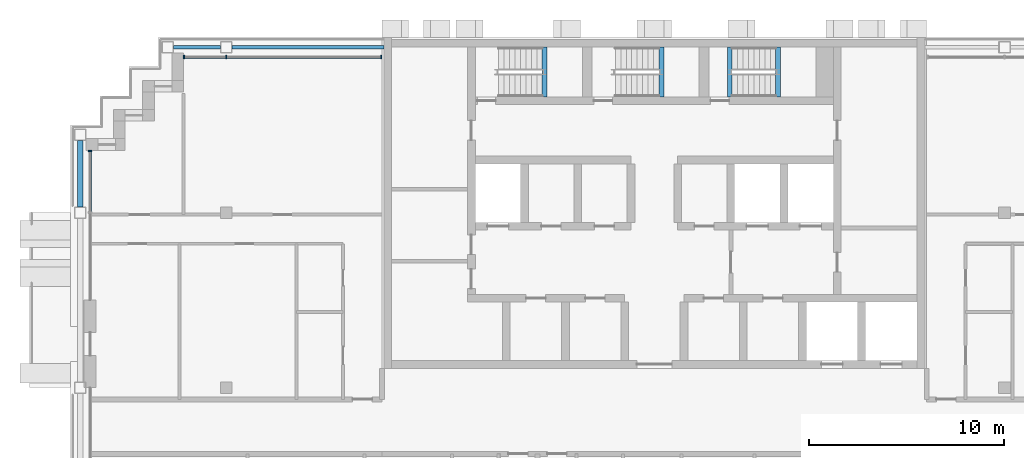
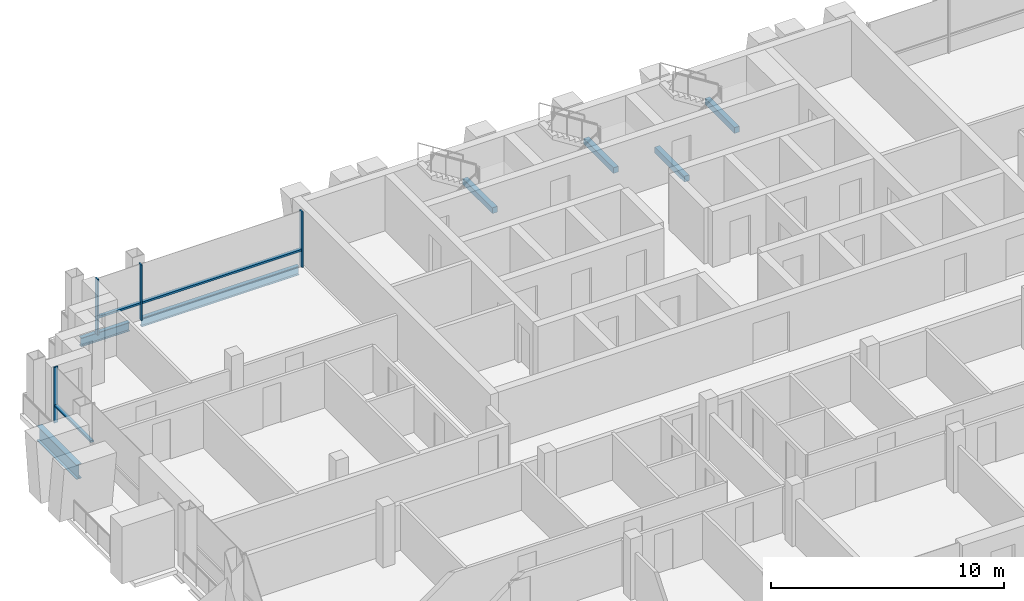
# One storey, part 4 of 15: 7 beams, 7 members, 2 elements without a shape of their own.
"""IFC4 building model written with IfcOpenShell, lengths in metres."""

from ifc_helpers import new_model, si_unit, direction, frame, origin, origin_2d, place, context, subcontext, project, spatial, rectangle, i_section, extrude, material, material_profile, profile_set, type_object, element, aggregate, save


model = new_model("IFC4")

# Units and contexts
model_context = context("Model", 3, precision=1e-05, world=origin(), true_north=direction((0.0, 1.0)))
body_context = subcontext(model_context, "Body", "Model", "MODEL_VIEW")
ifc_project = project(units=[si_unit("LENGTHUNIT", "METRE"), si_unit("AREAUNIT", "SQUARE_METRE"), si_unit("VOLUMEUNIT", "CUBIC_METRE"), si_unit("PLANEANGLEUNIT", "RADIAN"), si_unit("MASSUNIT", "GRAM", prefix="KILO")], contexts=[model_context])

# Site, building, storey
site_placement = place(None, origin())
site = spatial("IfcSite", under=ifc_project, at=site_placement, CompositionType="ELEMENT")
building_placement = place(site_placement, origin())
building = spatial("IfcBuilding", under=site, at=building_placement, Name="Vidyagriha Tower", CompositionType="ELEMENT")
storey_placement = place(building_placement, frame((0.0, 0.0, 226.800048828125)))
storey = spatial("IfcBuildingStorey", under=building, at=storey_placement, Name="L59", CompositionType="ELEMENT", Elevation=226.800048828125)

# Beams
ifc_material_1 = material(Name="Steel ASTM A992 Grade 50", Category="steel")
ifc_material_profile_1 = material_profile(ifc_material_1, i_section(OverallWidth=0.2666015625, OverallDepth=0.76953125, WebThickness=0.015625, FlangeThickness=0.025390625, at=origin_2d()), Name="W30X132")
ifc_profile_set_1 = profile_set([ifc_material_profile_1], Name="Steel ASTM A992 Grade 50")
beam_type_1 = type_object("IfcBeamType", Name="Cantilever edge beam W30X132", PredefinedType="SPANDREL", material=ifc_profile_set_1)
beam_1_placement = place(storey_placement, frame((-29.5, 11.300048828125, -0.664794921875), z_axis=(0.0, 1.0, 0.0), x_axis=(-1.0, 0.0, 0.0)))
element("IfcBeam", 1, at=beam_1_placement, inside=storey, type_object=beam_type_1, Name="st-beam-L59-W12", PredefinedType="SPANDREL", context=body_context, shape_type="SweptSolid", body=[
    extrude(i_section(OverallWidth=0.2666015625, OverallDepth=0.76953125, WebThickness=0.015625, FlangeThickness=0.025390625, at=origin_2d()), origin(), (0.0, 0.0, 1.0), 3.39990234375),
])
ifc_material_2 = material(Name="Steel ASTM A992 Grade 50", Category="steel")
ifc_material_profile_2 = material_profile(ifc_material_2, i_section(OverallWidth=0.19189453125, OverallDepth=0.46240234375, WebThickness=0.010498046875, FlangeThickness=0.017578125, at=origin_2d()), Name="W18X60")
ifc_profile_set_2 = profile_set([ifc_material_profile_2], Name="Steel ASTM A992 Grade 50")
beam_type_2 = type_object("IfcBeamType", Name="Edge beam W18X60", PredefinedType="SPANDREL", material=ifc_profile_set_2)
beam_2_placement = place(storey_placement, frame((-24.699951171875, 19.5, -0.51123046875), z_axis=(1.0, 0.0, 0.0), x_axis=(0.0, 1.0, 0.0)))
element("IfcBeam", 2, at=beam_2_placement, inside=storey, type_object=beam_type_2, Name="st-beam-L59-NW18", PredefinedType="SPANDREL", context=body_context, shape_type="SweptSolid", body=[
    extrude(i_section(OverallWidth=0.19189453125, OverallDepth=0.46240234375, WebThickness=0.010498046875, FlangeThickness=0.017578125, at=origin_2d()), origin(), (0.0, 0.0, 1.0), 2.39990234375),
])
beam_3_placement = place(storey_placement, frame((-21.699951171875, 19.5, -0.51123046875), z_axis=(1.0, 0.0, 0.0), x_axis=(0.0, 1.0, 0.0)))
element("IfcBeam", 3, at=beam_3_placement, inside=storey, type_object=beam_type_2, Name="st-beam-L59-NC20", PredefinedType="SPANDREL", context=body_context, shape_type="SweptSolid", body=[
    extrude(i_section(OverallWidth=0.19189453125, OverallDepth=0.46240234375, WebThickness=0.010498046875, FlangeThickness=0.017578125, at=origin_2d()), origin(), (0.0, 0.0, 1.0), 7.800048828125),
])

# Curtain wall, members
ifc_material_3 = material(Name="Aluminium and glass curtain wall", Category="aluminium")
curtain_wall_type = type_object("IfcCurtainWallType", Name="Dwelling skin unitised curtain wall", PredefinedType="USERDEFINED", material=ifc_material_3)
curtain_wall_1_placement = place(storey_placement, origin())
curtain_wall_1 = element("IfcCurtainWall", 4, at=curtain_wall_1_placement, inside=storey, type_object=curtain_wall_type, Name="CW1 dwelling skin", ObjectType="UNITISED", PredefinedType="USERDEFINED")
ifc_material_4 = material(Name="Aluminium black anodised", Category="aluminium")
ifc_material_profile_3 = material_profile(ifc_material_4, rectangle(XDim=0.199951171875, YDim=0.070068359375, at=origin_2d()), Name="Mullion 70x200 black aluminium")
ifc_profile_set_3 = profile_set([ifc_material_profile_3], Name="Aluminium black anodised")
member_type_1 = type_object("IfcMemberType", Name="Mullion 70x200 black aluminium", PredefinedType="MULLION", material=ifc_profile_set_3)
member_1_placement = place(storey_placement, frame((-14.034912109375, 19.0, 0.0), z_axis=(0.0, 0.0, 1.0), x_axis=(0.0, -1.0, 0.0)))
member_1 = element("IfcMember", 5, at=member_1_placement, type_object=member_type_1, Name="CW1 mullion 1", PredefinedType="MULLION", context=body_context, shape_type="SweptSolid", body=[
    extrude(rectangle(XDim=0.199951171875, YDim=0.070068359375, at=origin_2d()), origin(), (0.0, 0.0, 1.0), 2.919921875),
])
member_2_placement = place(storey_placement, frame((-22.0, 19.0, 0.0), z_axis=(0.0, 0.0, 1.0), x_axis=(0.0, -1.0, 0.0)))
member_2 = element("IfcMember", 6, at=member_2_placement, type_object=member_type_1, Name="CW1 mullion 2", PredefinedType="MULLION", context=body_context, shape_type="SweptSolid", body=[
    extrude(rectangle(XDim=0.199951171875, YDim=0.070068359375, at=origin_2d()), origin(), (0.0, 0.0, 1.0), 2.919921875),
])
member_3_placement = place(storey_placement, frame((-24.1650390625, 19.0, 0.0), z_axis=(0.0, 0.0, 1.0), x_axis=(0.0, -1.0, 0.0)))
member_3 = element("IfcMember", 7, at=member_3_placement, type_object=member_type_1, Name="CW1 mullion 3", PredefinedType="MULLION", context=body_context, shape_type="SweptSolid", body=[
    extrude(rectangle(XDim=0.199951171875, YDim=0.070068359375, at=origin_2d()), origin(), (0.0, 0.0, 1.0), 2.919921875),
])

# Curtain wall, member
curtain_wall_2_placement = place(storey_placement, origin())
curtain_wall_2 = element("IfcCurtainWall", 8, at=curtain_wall_2_placement, inside=storey, type_object=curtain_wall_type, Name="CW1 dwelling skin", ObjectType="UNITISED", PredefinedType="USERDEFINED")
member_4_placement = place(storey_placement, frame((-29.0, 14.1650390625, 0.0)))
member_4 = element("IfcMember", 9, at=member_4_placement, type_object=member_type_1, Name="CW1 mullion 1", PredefinedType="MULLION", context=body_context, shape_type="SweptSolid", body=[
    extrude(rectangle(XDim=0.199951171875, YDim=0.070068359375, at=origin_2d()), origin(), (0.0, 0.0, 1.0), 2.919921875),
])

# Beams
ifc_material_5 = material(Name="Concrete C40/50", Category="concrete")
ifc_material_profile_4 = material_profile(ifc_material_5, rectangle(XDim=0.25, YDim=0.300048828125, at=origin_2d()), Name="Stair landing bearing beam 250x300")
ifc_profile_set_4 = profile_set([ifc_material_profile_4], Name="Concrete C40/50")
beam_type_3 = type_object("IfcBeamType", Name="Stair landing bearing beam 250x300", PredefinedType="BEAM", material=ifc_profile_set_4)
for number, where, z_axis, x_axis, name in (
    (10, (3.875, 16.949951171875, -0.429931640625), (0.0, 1.0, 0.0), (-1.0, 0.0, 0.0), "ST3 floor landing bearing beam L59"),
    (11, (-5.635009765625, 16.949951171875, 1.25), (0.0, 1.0, 0.0), (-1.0, 0.0, 0.0), "ST1 landing bearing beam L59"),
    (12, (0.364990234375, 16.949951171875, 1.25), (0.0, 1.0, 0.0), (-1.0, 0.0, 0.0), "ST2 landing bearing beam L59"),
    (13, (6.364990234375, 16.949951171875, 1.25), (0.0, 1.0, 0.0), (-1.0, 0.0, 0.0), "ST3 landing bearing beam L59"),
):
    element("IfcBeam", number, at=place(storey_placement, frame(where, z_axis=z_axis, x_axis=x_axis)), inside=storey, type_object=beam_type_3, Name=name, PredefinedType="BEAM", context=body_context, shape_type="SweptSolid", body=[
        extrude(rectangle(XDim=0.25, YDim=0.300048828125, at=origin_2d()), origin(), (0.0, 0.0, 1.0), 2.550048828125),
    ])

# Member
ifc_material_6 = material(Name="Aluminium black anodised", Category="aluminium")
ifc_material_profile_5 = material_profile(ifc_material_6, rectangle(XDim=0.159912109375, YDim=0.10009765625, at=origin_2d()), Name="Transom 100x160 black aluminium")
ifc_profile_set_5 = profile_set([ifc_material_profile_5], Name="Aluminium black anodised")
member_type_2 = type_object("IfcMemberType", Name="Transom 100x160 black aluminium", PredefinedType="USERDEFINED", material=ifc_profile_set_5)
member_5_placement = place(storey_placement, frame((-14.070068359375, 19.0, 0.89990234375), z_axis=(-1.0, 0.0, 0.0), x_axis=(0.0, -1.0, 0.0)))
member_5 = element("IfcMember", 14, at=member_5_placement, type_object=member_type_2, Name="CW1 transom 1.1", ObjectType="TRANSOM", PredefinedType="USERDEFINED", context=body_context, shape_type="SweptSolid", body=[
    extrude(rectangle(XDim=0.159912109375, YDim=0.10009765625, at=origin_2d()), origin(), (0.0, 0.0, 1.0), 7.89501953125),
])

member_6_placement = place(storey_placement, frame((-22.034912109375, 19.0, 0.89990234375), z_axis=(-1.0, 0.0, 0.0), x_axis=(0.0, -1.0, 0.0)))
member_6 = element("IfcMember", 15, at=member_6_placement, type_object=member_type_2, Name="CW1 transom 2.1", ObjectType="TRANSOM", PredefinedType="USERDEFINED", context=body_context, shape_type="SweptSolid", body=[
    extrude(rectangle(XDim=0.159912109375, YDim=0.10009765625, at=origin_2d()), origin(), (0.0, 0.0, 1.0), 2.094970703125),
])

aggregate(curtain_wall_1, [member_1, member_2, member_3, member_5, member_6])

member_7_placement = place(storey_placement, frame((-29.0, 14.1298828125, 0.89990234375), z_axis=(0.0, -1.0, 0.0), x_axis=(1.0, 0.0, 0.0)))
member_7 = element("IfcMember", 16, at=member_7_placement, type_object=member_type_2, Name="CW1 transom 1.1", ObjectType="TRANSOM", PredefinedType="USERDEFINED", context=body_context, shape_type="SweptSolid", body=[
    extrude(rectangle(XDim=0.159912109375, YDim=0.10009765625, at=origin_2d()), origin(), (0.0, 0.0, 1.0), 3.094970703125),
])

aggregate(curtain_wall_2, [member_4, member_7])

save(model, "model.ifc")
